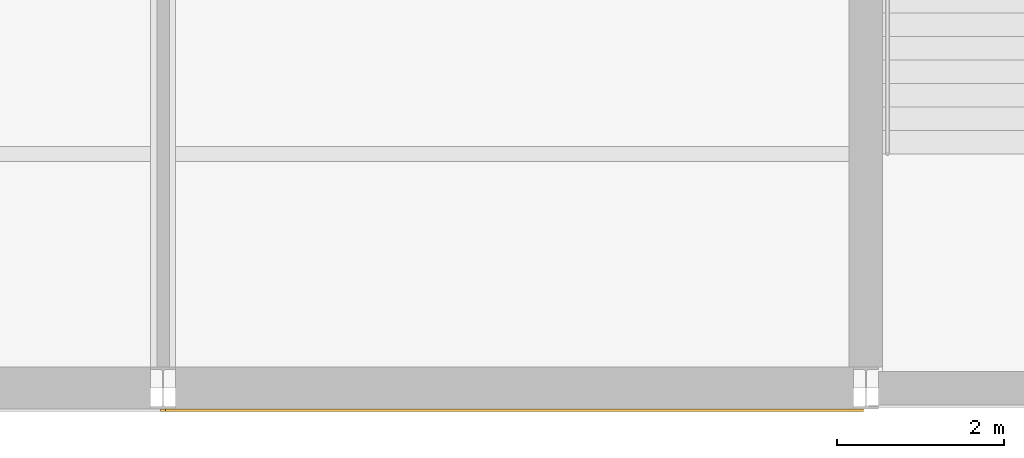
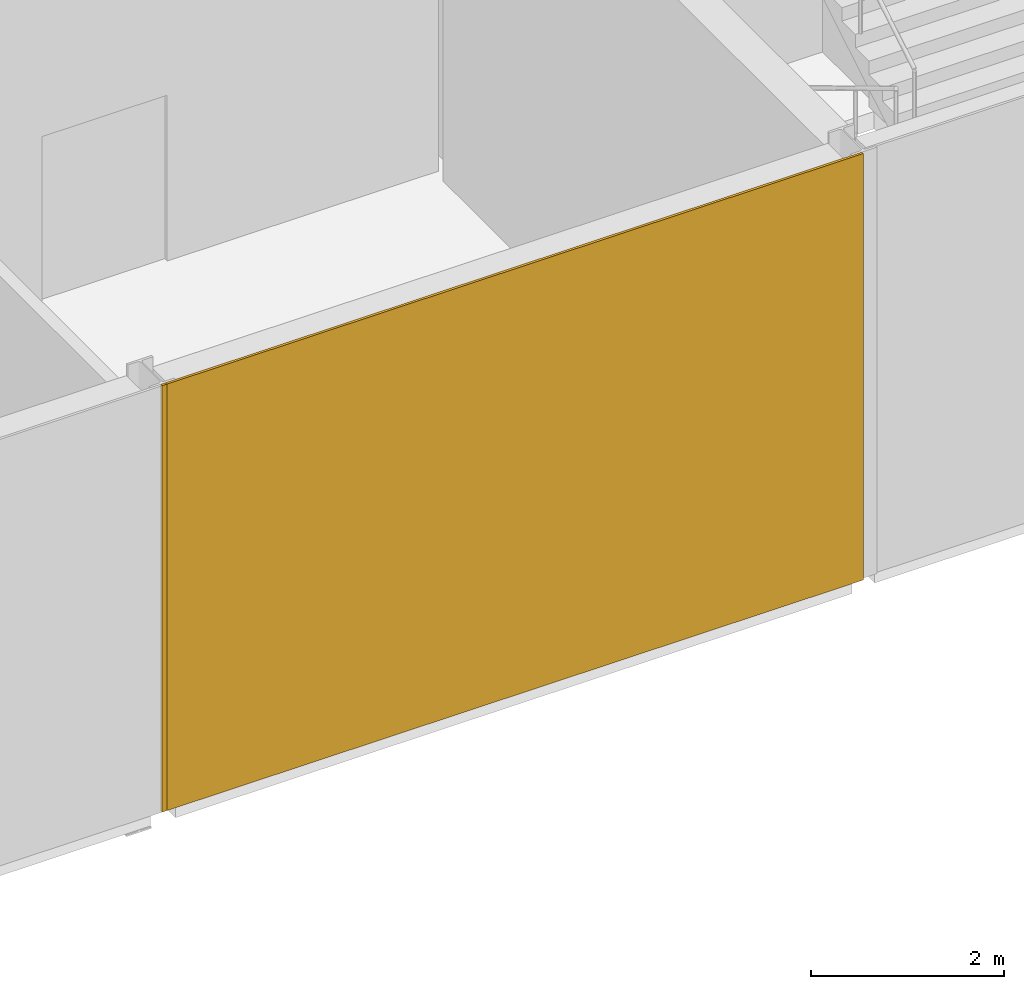
# One storey, part 56 of 64: 2 coverings.
"""IFC4 building model written with IfcOpenShell, lengths in metres."""

from ifc_helpers import new_model, si_unit, direction, frame, origin, origin_2d, place, context, subcontext, project, spatial, rectangle, extrude, material, layer, layer_set, type_object, element, save


model = new_model("IFC4")

# Units and contexts
model_context = context("Model", 3, precision=1e-05, world=origin(), true_north=direction((0.0, 1.0)))
body_context = subcontext(model_context, "Body", "Model", "MODEL_VIEW")
ifc_project = project(units=[si_unit("LENGTHUNIT", "METRE"), si_unit("AREAUNIT", "SQUARE_METRE"), si_unit("VOLUMEUNIT", "CUBIC_METRE"), si_unit("PLANEANGLEUNIT", "RADIAN"), si_unit("MASSUNIT", "GRAM", prefix="KILO")], contexts=[model_context])

# Site, building, storey
site_placement = place(None, origin())
site = spatial("IfcSite", under=ifc_project, at=site_placement, CompositionType="ELEMENT")
building_placement = place(site_placement, origin())
building = spatial("IfcBuilding", under=site, at=building_placement, Name="Galleria Vessillo Department Store", CompositionType="ELEMENT")
storey_placement = place(building_placement, frame((0.0, 0.0, 6.0)))
storey = spatial("IfcBuildingStorey", under=building, at=storey_placement, Name="L01", CompositionType="ELEMENT", Elevation=6.0)

# Coverings
ifc_material = material(Name="Lime plaster (intonaco) ochre")
ifc_layer = layer(ifc_material, 0.030029296875)
ifc_layer_set = layer_set([ifc_layer], Name="Lime plaster (intonaco) ochre")
covering_type = type_object("IfcCoveringType", Name="Lime plaster render 30 mm", PredefinedType="CLADDING", material=ifc_layer_set)
covering_1_placement = place(storey_placement, frame((71.39990234375, -0.264892578125, 0.0), z_axis=(0.0, 0.0, 1.0), x_axis=(1.0, 0.0, 0.0)))
element("IfcCovering", 1, at=covering_1_placement, inside=storey, type_object=covering_type, Name="Wall cladding S-PS-L01-06", PredefinedType="CLADDING", context=body_context, shape_type="SweptSolid", body=[
    extrude(rectangle(XDim=8.34033203125, YDim=0.030029296875, at=origin_2d()), origin(), (0.0, 0.0, 1.0), 5.39990234375),
])
covering_2_placement = place(storey_placement, frame((67.199951171875, -0.264892578125, 0.0), z_axis=(0.0, 0.0, 1.0), x_axis=(1.0, 0.0, 0.0)))
element("IfcCovering", 2, at=covering_2_placement, inside=storey, type_object=covering_type, Name="Joint block Wall cladding S-PS-L01-05", PredefinedType="CLADDING", context=body_context, shape_type="SweptSolid", body=[
    extrude(rectangle(XDim=0.059814453125, YDim=0.030029296875, at=origin_2d()), origin(), (0.0, 0.0, 1.0), 5.39990234375),
])

save(model, "model.ifc")
